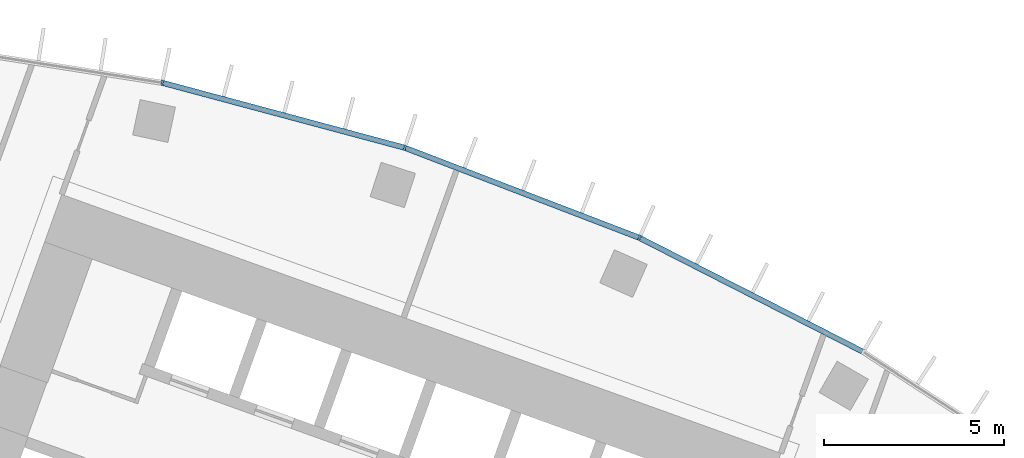
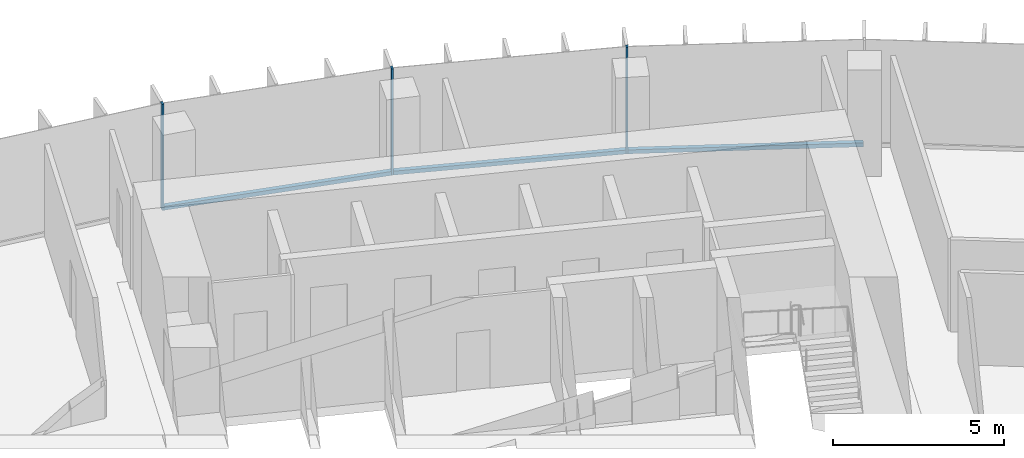
# One storey, part 11 of 21: 6 members, 1 element without a shape of its own.
"""IFC4 building model written with IfcOpenShell, lengths in metres."""

from ifc_helpers import new_model, si_unit, direction, frame, origin, origin_2d, place, context, subcontext, project, spatial, rectangle, extrude, material, layer, layer_set, material_profile, profile_set, type_object, element, aggregate, save


model = new_model("IFC4")

# Units and contexts
model_context = context("Model", 3, precision=1e-05, world=origin(), true_north=direction((0.0, 1.0)))
body_context = subcontext(model_context, "Body", "Model", "MODEL_VIEW")
ifc_project = project(units=[si_unit("LENGTHUNIT", "METRE"), si_unit("AREAUNIT", "SQUARE_METRE"), si_unit("VOLUMEUNIT", "CUBIC_METRE"), si_unit("PLANEANGLEUNIT", "RADIAN"), si_unit("MASSUNIT", "GRAM", prefix="KILO")], contexts=[model_context])

# Site, building, storey
site_placement = place(None, origin())
site = spatial("IfcSite", under=ifc_project, at=site_placement, CompositionType="ELEMENT")
building_placement = place(site_placement, origin())
building = spatial("IfcBuilding", under=site, at=building_placement, Name="Stone Belt Terrace Tower", CompositionType="ELEMENT")
storey_placement = place(building_placement, frame((0.0, 0.0, 189.60009765625)))
storey = spatial("IfcBuildingStorey", under=building, at=storey_placement, Name="L46", CompositionType="ELEMENT", Elevation=189.60009765625)

# Curtain wall, members
ifc_material = material(Name="Aluminium 6063-T6 anodised frame", Category="aluminium")
ifc_layer = layer(ifc_material, 0.14990234375)
ifc_layer_set = layer_set([ifc_layer], Name="CW-A unitised convex-face curtain wall")
curtain_wall_type = type_object("IfcCurtainWallType", Name="CW-A unitised convex-face curtain wall", PredefinedType="NOTDEFINED", material=ifc_layer_set)
curtain_wall_placement = place(storey_placement, origin())
curtain_wall = element("IfcCurtainWall", 1, at=curtain_wall_placement, inside=storey, type_object=curtain_wall_type, Name="CW-A convex face L46", PredefinedType="NOTDEFINED")
ifc_material_profile_1 = material_profile(ifc_material, rectangle(XDim=0.14990234375, YDim=0.06005859375, at=origin_2d()), Name="Aluminium 6063-T6 60x150")
ifc_profile_set_1 = profile_set([ifc_material_profile_1], Name="Aluminium 6063-T6 anodised frame")
member_type_1 = type_object("IfcMemberType", Name="CW-A mullion 60 x 150", PredefinedType="MULLION", material=ifc_profile_set_1)
member_1_placement = place(storey_placement, frame((27.07861328125, 60.8193359375, 0.0), z_axis=(0.0, 0.0, 1.0), x_axis=(-0.406736643076, -0.913545457643, 0.0)))
member_1 = element("IfcMember", 2, at=member_1_placement, type_object=member_type_1, Name="CW-A mullion 4", PredefinedType="MULLION", context=body_context, shape_type="SweptSolid", body=[
    extrude(rectangle(XDim=0.14990234375, YDim=0.06005859375, at=origin_2d()), origin(), (0.0, 0.0, 1.0), 3.7998046875),
])
member_2_placement = place(storey_placement, frame((20.57275390625, 63.316650390625, 0.0), z_axis=(0.0, 0.0, 1.0), x_axis=(-0.309016994375, -0.951056516295, 0.0)))
member_2 = element("IfcMember", 3, at=member_2_placement, type_object=member_type_1, Name="CW-A mullion 5", PredefinedType="MULLION", context=body_context, shape_type="SweptSolid", body=[
    extrude(rectangle(XDim=0.14990234375, YDim=0.06005859375, at=origin_2d()), origin(), (0.0, 0.0, 1.0), 3.7998046875),
])
member_3_placement = place(storey_placement, frame((13.841796875, 65.120361328125, 0.0), z_axis=(0.0, 0.0, 1.0), x_axis=(-0.207911690818, -0.978147600734, 0.0)))
member_3 = element("IfcMember", 4, at=member_3_placement, type_object=member_type_1, Name="CW-A mullion 6", PredefinedType="MULLION", context=body_context, shape_type="SweptSolid", body=[
    extrude(rectangle(XDim=0.14990234375, YDim=0.06005859375, at=origin_2d()), origin(), (0.0, 0.0, 1.0), 3.7998046875),
])
ifc_material_profile_2 = material_profile(ifc_material, rectangle(XDim=0.14990234375, YDim=0.139892578125, at=origin_2d()), Name="Aluminium 6063-T6 150x140")
ifc_profile_set_2 = profile_set([ifc_material_profile_2], Name="Aluminium 6063-T6 anodised frame")
member_type_2 = type_object("IfcMemberType", Name="CW-A transom 140 x 150", PredefinedType="USERDEFINED", material=ifc_profile_set_2)
member_4_placement = place(storey_placement, frame((33.25732421875, 57.671142578125, 0.06982421875), z_axis=(-0.891012226264, 0.453979308613, 0.0), x_axis=(-0.453979308613, -0.891012226264, 0.0)))
member_4 = element("IfcMember", 5, at=member_4_placement, type_object=member_type_2, Name="CW-A transom 3.1", ObjectType="TRANSOM", PredefinedType="USERDEFINED", context=body_context, shape_type="SweptSolid", body=[
    extrude(rectangle(XDim=0.14990234375, YDim=0.139892578125, at=origin_2d()), origin(), (0.0, 0.0, 1.0), 6.90087890625),
])
member_5_placement = place(storey_placement, frame((27.046875, 60.83154296875, 0.06982421875), z_axis=(-0.933585210269, 0.358355487146, 0.0), x_axis=(-0.358355487146, -0.933585210269, 0.0)))
member_5 = element("IfcMember", 6, at=member_5_placement, type_object=member_type_2, Name="CW-A transom 4.1", ObjectType="TRANSOM", PredefinedType="USERDEFINED", context=body_context, shape_type="SweptSolid", body=[
    extrude(rectangle(XDim=0.14990234375, YDim=0.139892578125, at=origin_2d()), origin(), (0.0, 0.0, 1.0), 6.900634765625),
])
member_6_placement = place(storey_placement, frame((20.5400390625, 63.325439453125, 0.06982421875), z_axis=(-0.965921835863, 0.258833937117, 0.0), x_axis=(-0.258833937117, -0.965921835863, 0.0)))
member_6 = element("IfcMember", 7, at=member_6_placement, type_object=member_type_2, Name="CW-A transom 5.1", ObjectType="TRANSOM", PredefinedType="USERDEFINED", context=body_context, shape_type="SweptSolid", body=[
    extrude(rectangle(XDim=0.14990234375, YDim=0.139892578125, at=origin_2d()), origin(), (0.0, 0.0, 1.0), 6.900634765625),
])
aggregate(curtain_wall, [member_1, member_2, member_3, member_4, member_5, member_6])

save(model, "model.ifc")
